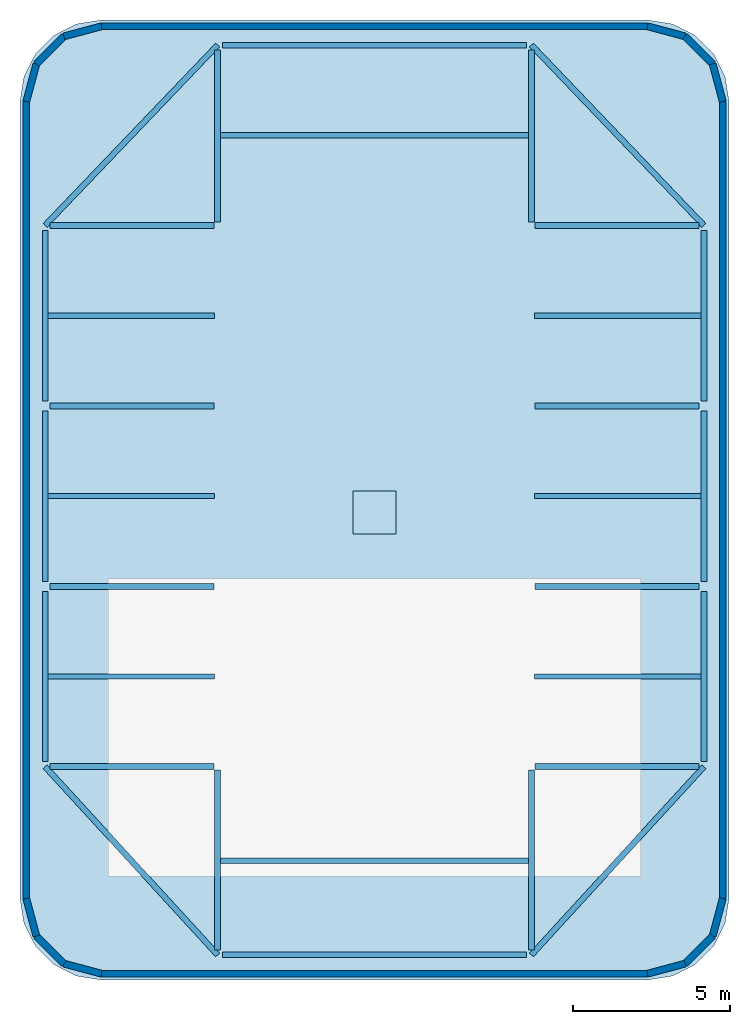
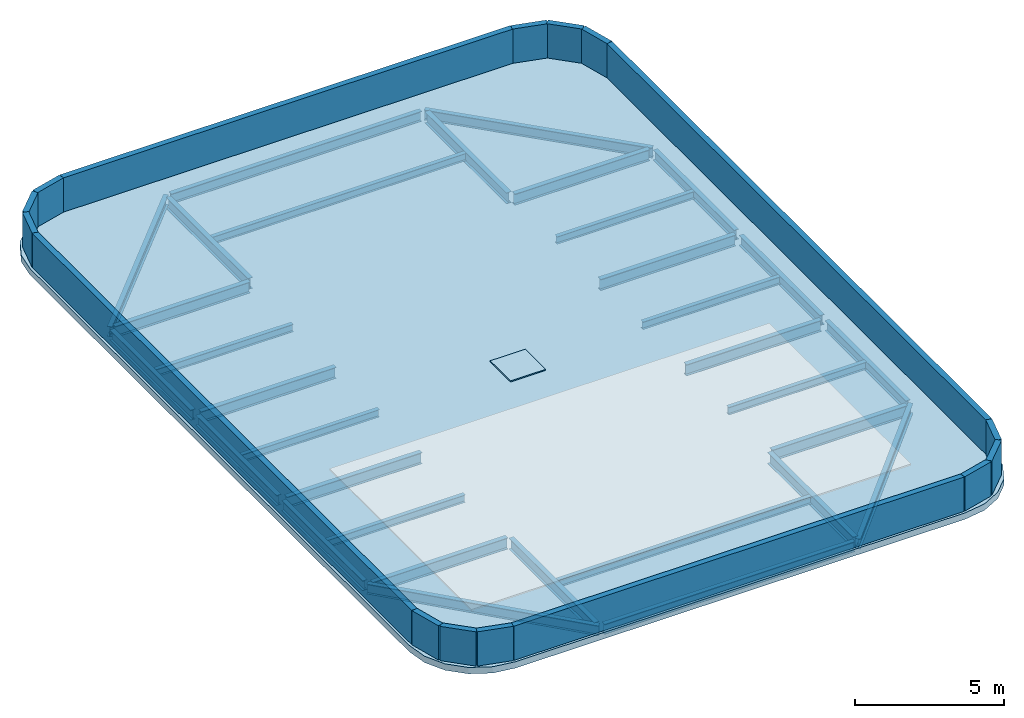
# One storey, part 1 of 2: 32 beams, 16 walls, 1 plate, 1 slab.
"""IFC4 building model written with IfcOpenShell, lengths in metres."""

import ifcopenshell
import ifcopenshell.guid

model = None  # the IFC model being written
_history = None  # IfcOwnerHistory: only IFC2X3 demands one
_inside = {}  # id of a spatial element -> (the spatial element, [elements in it])
_under = {}  # id of a project, library or spatial element -> (it, [spatial elements below it])
_declared = {}  # id of a project -> (the project, [libraries it declares])
_typed = {}  # id of a type object -> (the type object, [elements of that type])
_made_of = {}  # id of a material, layer set ... -> (it, [elements and type objects made of it])


def new_model(schema):
    """Start an empty IFC model of exactly this schema.

    Asked for "IFC4X3", IfcOpenShell would pick the latest addendum, in which some entities
    have other attributes; the version numbers below select the first issue.
    IFC2X3 requires an IfcOwnerHistory on every rooted entity: one is made here for all.
    """
    global model, _history
    if schema == "IFC4X3":
        model = ifcopenshell.file(schema_version=(4, 3, 0, 0))
    else:
        model = ifcopenshell.file(schema=schema)
    _inside.clear()
    _under.clear()
    _declared.clear()
    _typed.clear()
    _made_of.clear()
    _history = None
    if model.schema == "IFC2X3":
        org = make("IfcOrganization", Name="unknown")
        user = make(
            "IfcPersonAndOrganization",
            ThePerson=make("IfcPerson", FamilyName="unknown"),
            TheOrganization=org,
        )
        app = make(
            "IfcApplication",
            ApplicationDeveloper=org,
            Version="unknown",
            ApplicationFullName="unknown",
            ApplicationIdentifier="unknown",
        )
        _history = make(
            "IfcOwnerHistory",
            OwningUser=user,
            OwningApplication=app,
            ChangeAction="ADDED",
            CreationDate=0,
        )
    return model


def make(cls, **values):
    """One entity of the class cls with the attributes given. An attribute that is None is left unset."""
    return model.create_entity(
        cls, **{name: value for name, value in values.items() if value is not None}
    )


def rooted(cls, **values):
    """An entity with a GlobalId (a new one), such as an element, a storey or a relation."""
    return make(cls, GlobalId=ifcopenshell.guid.new(), OwnerHistory=_history, **values)


def si_unit(unit_type, name, prefix=None):
    """IfcSIUnit, for example si_unit("LENGTHUNIT", "METRE", prefix="MILLI")."""
    return make("IfcSIUnit", UnitType=unit_type, Prefix=prefix, Name=name)


def assignment(units):
    """IfcUnitAssignment: the units of a project."""
    return None if units is None else make("IfcUnitAssignment", Units=units)


def point(xyz):
    """IfcCartesianPoint."""
    return None if xyz is None else make("IfcCartesianPoint", Coordinates=xyz)


def direction(xyz):
    """IfcDirection."""
    return None if xyz is None else make("IfcDirection", DirectionRatios=xyz)


def frame(location, z_axis=None, x_axis=None):
    """IfcAxis2Placement3D, a coordinate frame: its origin and axes. An axis left out is left unset."""
    return make(
        "IfcAxis2Placement3D",
        Location=point(location),
        Axis=direction(z_axis),
        RefDirection=direction(x_axis),
    )


def frame_2d(location, x_axis=None):
    """IfcAxis2Placement2D, a coordinate frame in the plane: its origin and x axis."""
    return make(
        "IfcAxis2Placement2D", Location=point(location), RefDirection=direction(x_axis)
    )


def origin():
    """The frame at (0, 0, 0) with its axes left unset."""
    return frame((0.0, 0.0, 0.0))


def origin_2d():
    """The frame at (0, 0) in the plane with its x axis left unset."""
    return frame_2d((0.0, 0.0))


def place(relative_to, where):
    """IfcLocalPlacement: puts the frame where relative to a parent placement (None: the world)."""
    return make(
        "IfcLocalPlacement", PlacementRelTo=relative_to, RelativePlacement=where
    )


def context(
    kind, dimensions, precision=None, world=None, true_north=None, identifier=None
):
    """IfcGeometricRepresentationContext, for example the 3D "Model" context."""
    return make(
        "IfcGeometricRepresentationContext",
        ContextIdentifier=identifier,
        ContextType=kind,
        CoordinateSpaceDimension=dimensions,
        Precision=precision,
        WorldCoordinateSystem=world,
        TrueNorth=true_north,
    )


def subcontext(parent, identifier, kind, view, scale=None):
    """IfcGeometricRepresentationSubContext, for example "Body" below "Model"."""
    return make(
        "IfcGeometricRepresentationSubContext",
        ContextIdentifier=identifier,
        ContextType=kind,
        ParentContext=parent,
        TargetScale=scale,
        TargetView=view,
    )


def project(units=None, contexts=None):
    """IfcProject with its units and contexts."""
    return rooted(
        "IfcProject",
        Name="project",
        RepresentationContexts=contexts,
        UnitsInContext=assignment(units),
    )


def spatial(cls, under=None, at=None, **own):
    """A site, building, storey or space (cls), placed at a placement, below another one or the project."""
    s = rooted(cls, ObjectPlacement=at, **own)
    if under is not None:
        _under.setdefault(under.id(), (under, []))[1].append(s)
    return s


def polyline(points):
    """IfcPolyline through the points."""
    return make("IfcPolyline", Points=[point(p) for p in points])


def profile(cls, at=None, kind="AREA", **sizes):
    """A parametric profile (cls). Its sizes go by their IFC names, for example OverallWidth=200.0."""
    return make(cls, ProfileType=kind, Position=at, **sizes)


def rectangle(**sizes):
    """IfcRectangleProfileDef."""
    return profile("IfcRectangleProfileDef", **sizes)


def i_section(**sizes):
    """IfcIShapeProfileDef."""
    return profile("IfcIShapeProfileDef", **sizes)


def outline(outer, holes=None, kind="AREA"):
    """IfcArbitraryClosedProfileDef: a profile drawn as a closed curve; with holes, ...WithVoids."""
    if holes is None:
        return make("IfcArbitraryClosedProfileDef", ProfileType=kind, OuterCurve=outer)
    return make(
        "IfcArbitraryProfileDefWithVoids",
        ProfileType=kind,
        OuterCurve=outer,
        InnerCurves=holes,
    )


def extrude(swept, where, along, depth):
    """IfcExtrudedAreaSolid: the profile swept, set in the frame where, extruded along a direction by depth."""
    return make(
        "IfcExtrudedAreaSolid",
        SweptArea=swept,
        Position=where,
        ExtrudedDirection=direction(along),
        Depth=depth,
    )


def shape(context_of_items, identifier, shape_type, items):
    """IfcShapeRepresentation: the items that make up one representation, for example the "Body"."""
    return make(
        "IfcShapeRepresentation",
        ContextOfItems=context_of_items,
        RepresentationIdentifier=identifier,
        RepresentationType=shape_type,
        Items=items,
    )


def source(mapping_origin, context_of_items, identifier, shape_type, items):
    """IfcRepresentationMap: a shape defined once, which mapped items show again and again."""
    return make(
        "IfcRepresentationMap",
        MappingOrigin=mapping_origin,
        MappedRepresentation=shape(context_of_items, identifier, shape_type, items),
    )


def transform(
    local_origin,
    x_axis=None,
    y_axis=None,
    z_axis=None,
    scale=None,
    scale2=None,
    scale3=None,
    uniform=True,
):
    """IfcCartesianTransformationOperator3D, or its non-uniform kind. x_axis, y_axis, z_axis: its Axis1, 2, 3."""
    if uniform:
        return make(
            "IfcCartesianTransformationOperator3D",
            Axis1=direction(x_axis),
            Axis2=direction(y_axis),
            LocalOrigin=point(local_origin),
            Scale=scale,
            Axis3=direction(z_axis),
        )
    return make(
        "IfcCartesianTransformationOperator3DnonUniform",
        Axis1=direction(x_axis),
        Axis2=direction(y_axis),
        LocalOrigin=point(local_origin),
        Scale=scale,
        Axis3=direction(z_axis),
        Scale2=scale2,
        Scale3=scale3,
    )


def mapped(mapping_source, mapping_target):
    """IfcMappedItem: shows the shape of a source again, moved by a transform."""
    return make(
        "IfcMappedItem", MappingSource=mapping_source, MappingTarget=mapping_target
    )


def material(Name=None, Category=None):
    """IfcMaterial."""
    return make("IfcMaterial", Name=Name, Category=Category)


def layer(
    of_material, thickness, ventilated=None, Name=None, Category=None, Priority=None
):
    """IfcMaterialLayer: one layer of a wall or slab, of a material (None: an air gap)."""
    return make(
        "IfcMaterialLayer",
        Material=of_material,
        LayerThickness=thickness,
        IsVentilated=ventilated,
        Name=Name,
        Category=Category,
        Priority=Priority,
    )


def layer_set(layers, Name=None):
    """IfcMaterialLayerSet."""
    return make("IfcMaterialLayerSet", MaterialLayers=layers, LayerSetName=Name)


def material_profile(
    of_material, cross_section, Name=None, Category=None, Priority=None
):
    """IfcMaterialProfile: a cross section and its material."""
    return make(
        "IfcMaterialProfile",
        Name=Name,
        Material=of_material,
        Profile=cross_section,
        Priority=Priority,
        Category=Category,
    )


def profile_set(profiles, Name=None, composite=None):
    """IfcMaterialProfileSet."""
    return make(
        "IfcMaterialProfileSet",
        Name=Name,
        MaterialProfiles=profiles,
        CompositeProfile=composite,
    )


def made_of(thing, what):
    """Note that an element or type object is made of a material, layer set ...; save() writes the relation."""
    if what is not None:
        _made_of.setdefault(what.id(), (what, []))[1].append(thing)
    return thing


def type_object(cls, material=None, **own):
    """A type object (cls), such as IfcWallType, which elements share."""
    return made_of(rooted(cls, **own), material)


def element(
    cls,
    number,
    at=None,
    inside=None,
    cuts=None,
    type_object=None,
    material=None,
    context=None,
    identifier="Body",
    shape_type=None,
    held_by="IfcProductDefinitionShape",
    body=None,
    shapes=None,
    **own,
):
    """One element of the class cls, such as IfcWall. Its Tag is "e" and its number.

    at: its placement. inside: the storey or other place that contains it. cuts: it is an
    opening in that element (IfcRelVoidsElement). A single representation is given by context,
    identifier, shape_type and body (its items); several are given by shapes. held_by: the class
    of the entity that holds the representations. save() writes the other relations.
    """
    e = rooted(cls, Tag="e%d" % number, ObjectPlacement=at, **own)
    if body is not None:
        shapes = [shape(context, identifier, shape_type, body)]
    if shapes is not None:
        e.Representation = make(held_by, Representations=shapes)
    if inside is not None:
        _inside.setdefault(inside.id(), (inside, []))[1].append(e)
    if cuts is not None:
        rooted(
            "IfcRelVoidsElement", RelatingBuildingElement=cuts, RelatedOpeningElement=e
        )
    if type_object is not None:
        _typed.setdefault(type_object.id(), (type_object, []))[1].append(e)
    return made_of(e, material)


def aggregate(whole, parts):
    """IfcRelAggregates: a whole, such as a stair, and the parts it consists of."""
    return rooted("IfcRelAggregates", RelatingObject=whole, RelatedObjects=parts)


def save(model, path):
    """Write the relations noted so far, then the file.

    IfcRelAggregates (storeys below a building ...), IfcRelContainedInSpatialStructure (elements
    in a storey), IfcRelDefinesByType, IfcRelAssociatesMaterial and IfcRelDeclares: one each for
    every whole, place, type object, material and project.
    """
    for whole, parts in _under.values():
        aggregate(whole, parts)
    for where, things in _inside.values():
        rooted(
            "IfcRelContainedInSpatialStructure",
            RelatedElements=things,
            RelatingStructure=where,
        )
    for kind, things in _typed.values():
        rooted("IfcRelDefinesByType", RelatedObjects=things, RelatingType=kind)
    for what, things in _made_of.values():
        rooted("IfcRelAssociatesMaterial", RelatedObjects=things, RelatingMaterial=what)
    for by, libraries in _declared.values():
        rooted("IfcRelDeclares", RelatingContext=by, RelatedDefinitions=libraries)
    model.write(path)


model = new_model("IFC4")

# Units and contexts
model_context = context("Model", 3, precision=1e-05, world=origin(), true_north=direction((0.0, 1.0)))
body_context = subcontext(model_context, "Body", "Model", "MODEL_VIEW")
ifc_project = project(units=[si_unit("LENGTHUNIT", "METRE"), si_unit("AREAUNIT", "SQUARE_METRE"), si_unit("VOLUMEUNIT", "CUBIC_METRE"), si_unit("PLANEANGLEUNIT", "RADIAN"), si_unit("MASSUNIT", "GRAM", prefix="KILO")], contexts=[model_context])

# Site, building, storey
site_placement = place(None, origin())
site = spatial("IfcSite", under=ifc_project, at=site_placement, CompositionType="ELEMENT")
building_placement = place(site_placement, origin())
building = spatial("IfcBuilding", under=site, at=building_placement, Name="Kolveth Station Tower", CompositionType="ELEMENT")
storey_placement = place(building_placement, frame((0.0, 0.0, 296.5)))
storey = spatial("IfcBuildingStorey", under=building, at=storey_placement, Name="RF", CompositionType="ELEMENT", Elevation=296.5)

# Beams
ifc_material_1 = material(Name="Steel S355", Category="steel")
ifc_material_profile_1 = material_profile(ifc_material_1, i_section(OverallWidth=0.180908203125, OverallDepth=0.4169921875, WebThickness=0.010986328125, FlangeThickness=0.018310546875, at=origin_2d()), Name="W410x85")
ifc_profile_set_1 = profile_set([ifc_material_profile_1], Name="Steel S355")
beam_type_1 = type_object("IfcBeamType", Name="Beam_B8", PredefinedType="BEAM", material=ifc_profile_set_1)
shared_shape_1 = source(origin(), body_context, "Body", "SweptSolid", [
    extrude(i_section(OverallWidth=0.180908203125, OverallDepth=0.4169921875, WebThickness=0.010986328125, FlangeThickness=0.018310546875, at=origin_2d()), origin(), (0.0, 0.0, 1.0), 9.68017578125),
])
for number, where, z_axis, x_axis, name in (
    (1, (18.659912109375, 5.5, -0.468505859375), (1.0, 0.0, 0.0), (0.0, 1.0, 0.0), "RF Perimeter Spandrel BM-RF-PS-1"),
    (2, (18.659912109375, 34.5, -0.468505859375), (1.0, 0.0, 0.0), (0.0, 1.0, 0.0), "RF Perimeter Spandrel BM-RF-PN-1"),
):
    element("IfcBeam", number, at=place(storey_placement, frame(where, z_axis=z_axis, x_axis=x_axis)), inside=storey, type_object=beam_type_1, Name=name, PredefinedType="BEAM", context=body_context, shape_type="MappedRepresentation", body=[
        mapped(shared_shape_1, transform((0.0, 0.0, 0.0), x_axis=(1.0, 0.0, 0.0), y_axis=(0.0, 1.0, 0.0), z_axis=(0.0, 0.0, 1.0), scale=1.0)),
    ])
shared_shape_2 = source(origin(), body_context, "Body", "SweptSolid", [
    extrude(i_section(OverallWidth=0.180908203125, OverallDepth=0.4169921875, WebThickness=0.010986328125, FlangeThickness=0.018310546875, at=origin_2d()), origin(), (0.0, 0.0, 1.0), 5.43017578125),
])
for number, where, z_axis, x_axis, name in (
    (3, (13.0, 11.659912109375, -0.468505859375), (0.0, 1.0, 0.0), (-1.0, 0.0, 0.0), "RF Perimeter Spandrel BM-RF-PW-1"),
    (4, (13.0, 17.409912109375, -0.468505859375), (0.0, 1.0, 0.0), (-1.0, 0.0, 0.0), "RF Perimeter Spandrel BM-RF-PW-2"),
    (5, (13.0, 23.159912109375, -0.468505859375), (0.0, 1.0, 0.0), (-1.0, 0.0, 0.0), "RF Perimeter Spandrel BM-RF-PW-3"),
    (6, (34.0, 11.659912109375, -0.468505859375), (0.0, 1.0, 0.0), (-1.0, 0.0, 0.0), "RF Perimeter Spandrel BM-RF-PE-1"),
    (7, (34.0, 17.409912109375, -0.468505859375), (0.0, 1.0, 0.0), (-1.0, 0.0, 0.0), "RF Perimeter Spandrel BM-RF-PE-2"),
    (8, (34.0, 23.159912109375, -0.468505859375), (0.0, 1.0, 0.0), (-1.0, 0.0, 0.0), "RF Perimeter Spandrel BM-RF-PE-3"),
):
    element("IfcBeam", number, at=place(storey_placement, frame(where, z_axis=z_axis, x_axis=x_axis)), inside=storey, type_object=beam_type_1, Name=name, PredefinedType="BEAM", context=body_context, shape_type="MappedRepresentation", body=[
        mapped(shared_shape_2, transform((0.0, 0.0, 0.0), x_axis=(1.0, 0.0, 0.0), y_axis=(0.0, 1.0, 0.0), z_axis=(0.0, 0.0, 1.0), scale=1.0)),
    ])
ifc_material_profile_2 = material_profile(ifc_material_1, i_section(OverallWidth=0.19091796875, OverallDepth=0.4599609375, WebThickness=0.010009765625, FlangeThickness=0.01611328125, at=origin_2d()), Name="W460x82")
ifc_profile_set_2 = profile_set([ifc_material_profile_2], Name="Steel S355")
beam_type_2 = type_object("IfcBeamType", Name="Beam_B7", PredefinedType="BEAM", material=ifc_profile_set_2)
shared_shape_3 = source(origin(), body_context, "Body", "SweptSolid", [
    extrude(i_section(OverallWidth=0.19091796875, OverallDepth=0.4599609375, WebThickness=0.010009765625, FlangeThickness=0.01611328125, at=origin_2d()), origin(), (0.0, 0.0, 1.0), 5.22998046875),
])
for number, where, z_axis, x_axis, name in (
    (9, (13.159912109375, 11.5, -0.489990234375), (1.0, 0.0, 0.0), (0.0, 1.0, 0.0), "RF Primary Girder BM-RF-GY115-1"),
    (10, (28.610107421875, 11.5, -0.489990234375), (1.0, 0.0, 0.0), (0.0, 1.0, 0.0), "RF Primary Girder BM-RF-GY115-3"),
    (11, (13.159912109375, 17.25, -0.489990234375), (1.0, 0.0, 0.0), (0.0, 1.0, 0.0), "RF Primary Girder BM-RF-GY172-1"),
    (12, (28.610107421875, 17.25, -0.489990234375), (1.0, 0.0, 0.0), (0.0, 1.0, 0.0), "RF Primary Girder BM-RF-GY172-3"),
    (13, (13.159912109375, 23.0, -0.489990234375), (1.0, 0.0, 0.0), (0.0, 1.0, 0.0), "RF Primary Girder BM-RF-GY230-1"),
    (14, (28.610107421875, 23.0, -0.489990234375), (1.0, 0.0, 0.0), (0.0, 1.0, 0.0), "RF Primary Girder BM-RF-GY230-3"),
    (15, (13.159912109375, 28.75, -0.489990234375), (1.0, 0.0, 0.0), (0.0, 1.0, 0.0), "RF Primary Girder BM-RF-GY287-1"),
    (16, (28.610107421875, 28.75, -0.489990234375), (1.0, 0.0, 0.0), (0.0, 1.0, 0.0), "RF Primary Girder BM-RF-GY287-3"),
):
    element("IfcBeam", number, at=place(storey_placement, frame(where, z_axis=z_axis, x_axis=x_axis)), inside=storey, type_object=beam_type_2, Name=name, PredefinedType="BEAM", context=body_context, shape_type="MappedRepresentation", body=[
        mapped(shared_shape_3, transform((0.0, 0.0, 0.0), x_axis=(1.0, 0.0, 0.0), y_axis=(0.0, 1.0, 0.0), z_axis=(0.0, 0.0, 1.0), scale=1.0)),
    ])
shared_shape_4 = source(origin(), body_context, "Body", "SweptSolid", [
    extrude(i_section(OverallWidth=0.19091796875, OverallDepth=0.4599609375, WebThickness=0.010009765625, FlangeThickness=0.01611328125, at=origin_2d()), origin(), (0.0, 0.0, 1.0), 5.72998046875),
])
for number, where, z_axis, x_axis, name in (
    (17, (18.5, 5.659912109375, -0.489990234375), (0.0, 1.0, 0.0), (-1.0, 0.0, 0.0), "RF Primary Girder BM-RF-GX185-1"),
    (18, (28.5, 5.659912109375, -0.489990234375), (0.0, 1.0, 0.0), (-1.0, 0.0, 0.0), "RF Primary Girder BM-RF-GX285-1"),
):
    element("IfcBeam", number, at=place(storey_placement, frame(where, z_axis=z_axis, x_axis=x_axis)), inside=storey, type_object=beam_type_2, Name=name, PredefinedType="BEAM", context=body_context, shape_type="MappedRepresentation", body=[
        mapped(shared_shape_4, transform((0.0, 0.0, 0.0), x_axis=(1.0, 0.0, 0.0), y_axis=(0.0, 1.0, 0.0), z_axis=(0.0, 0.0, 1.0), scale=1.0)),
    ])
shared_shape_5 = source(origin(), body_context, "Body", "SweptSolid", [
    extrude(i_section(OverallWidth=0.19091796875, OverallDepth=0.4599609375, WebThickness=0.010009765625, FlangeThickness=0.01611328125, at=origin_2d()), origin(), (0.0, 0.0, 1.0), 5.47998046875),
])
for number, where, z_axis, x_axis, name in (
    (19, (18.5, 28.860107421875, -0.489990234375), (0.0, 1.0, 0.0), (-1.0, 0.0, 0.0), "RF Primary Girder BM-RF-GX185-5"),
    (20, (28.5, 28.860107421875, -0.489990234375), (0.0, 1.0, 0.0), (-1.0, 0.0, 0.0), "RF Primary Girder BM-RF-GX285-5"),
):
    element("IfcBeam", number, at=place(storey_placement, frame(where, z_axis=z_axis, x_axis=x_axis)), inside=storey, type_object=beam_type_2, Name=name, PredefinedType="BEAM", context=body_context, shape_type="MappedRepresentation", body=[
        mapped(shared_shape_5, transform((0.0, 0.0, 0.0), x_axis=(1.0, 0.0, 0.0), y_axis=(0.0, 1.0, 0.0), z_axis=(0.0, 0.0, 1.0), scale=1.0)),
    ])
ifc_material_profile_3 = material_profile(ifc_material_1, i_section(OverallWidth=0.1650390625, OverallDepth=0.31005859375, WebThickness=0.005859375, FlangeThickness=0.009765625, at=origin_2d()), Name="W310x39")
ifc_profile_set_3 = profile_set([ifc_material_profile_3], Name="Steel S355")
beam_type_3 = type_object("IfcBeamType", Name="Beam_J3", PredefinedType="JOIST", material=ifc_profile_set_3)
shared_shape_6 = source(origin(), body_context, "Body", "SweptSolid", [
    extrude(i_section(OverallWidth=0.1650390625, OverallDepth=0.31005859375, WebThickness=0.005859375, FlangeThickness=0.009765625, at=origin_2d()), origin(), (0.0, 0.0, 1.0), 9.81298828125),
])
for number, where, z_axis, x_axis, name in (
    (21, (18.593505859375, 8.5, -0.4150390625), (1.0, 0.0, 0.0), (0.0, 1.0, 0.0), "RF Secondary Joist JST-RF-2-1"),
    (22, (18.593505859375, 31.625, -0.4150390625), (1.0, 0.0, 0.0), (0.0, 1.0, 0.0), "RF Secondary Joist JST-RF-2-5"),
):
    element("IfcBeam", number, at=place(storey_placement, frame(where, z_axis=z_axis, x_axis=x_axis)), inside=storey, type_object=beam_type_3, Name=name, PredefinedType="JOIST", context=body_context, shape_type="MappedRepresentation", body=[
        mapped(shared_shape_6, transform((0.0, 0.0, 0.0), x_axis=(1.0, 0.0, 0.0), y_axis=(0.0, 1.0, 0.0), z_axis=(0.0, 0.0, 1.0), scale=1.0)),
    ])
shared_shape_7 = source(origin(), body_context, "Body", "SweptSolid", [
    extrude(i_section(OverallWidth=0.180908203125, OverallDepth=0.4169921875, WebThickness=0.010986328125, FlangeThickness=0.018310546875, at=origin_2d()), origin(), (0.0, 0.0, 1.0), 8.139404296875),
])
for number, where, z_axis, x_axis, name in (
    (23, (13.0, 11.5, -0.468505859375), (0.675724628517, -0.737154140201, 0.0), (0.737154140201, 0.675724628517, 0.0), "RF Corner Edge Girder BM-RF-CNR-SW"),
    (24, (28.5, 5.5, -0.468505859375), (0.675724628517, 0.737154140201, 0.0), (-0.737154140201, 0.675724628517, 0.0), "RF Corner Edge Girder BM-RF-CNR-SE"),
):
    element("IfcBeam", number, at=place(storey_placement, frame(where, z_axis=z_axis, x_axis=x_axis)), inside=storey, type_object=beam_type_1, Name=name, PredefinedType="BEAM", context=body_context, shape_type="MappedRepresentation", body=[
        mapped(shared_shape_7, transform((0.0, 0.0, 0.0), x_axis=(1.0, 0.0, 0.0), y_axis=(0.0, 1.0, 0.0), z_axis=(0.0, 0.0, 1.0), scale=1.0)),
    ])
shared_shape_8 = source(origin(), body_context, "Body", "SweptSolid", [
    extrude(i_section(OverallWidth=0.180908203125, OverallDepth=0.4169921875, WebThickness=0.010986328125, FlangeThickness=0.018310546875, at=origin_2d()), origin(), (0.0, 0.0, 1.0), 7.95703125),
])
for number, where, z_axis, x_axis, name in (
    (25, (34.0, 28.75, -0.468505859375), (-0.691222645967, 0.722641857148, 0.0), (-0.722641857148, -0.691222645967, 0.0), "RF Corner Edge Girder BM-RF-CNR-NE"),
    (26, (18.5, 34.5, -0.468505859375), (-0.691222645967, -0.722641857148, 0.0), (0.722641857148, -0.691222645967, 0.0), "RF Corner Edge Girder BM-RF-CNR-NW"),
):
    element("IfcBeam", number, at=place(storey_placement, frame(where, z_axis=z_axis, x_axis=x_axis)), inside=storey, type_object=beam_type_1, Name=name, PredefinedType="BEAM", context=body_context, shape_type="MappedRepresentation", body=[
        mapped(shared_shape_8, transform((0.0, 0.0, 0.0), x_axis=(1.0, 0.0, 0.0), y_axis=(0.0, 1.0, 0.0), z_axis=(0.0, 0.0, 1.0), scale=1.0)),
    ])
shared_shape_9 = source(origin(), body_context, "Body", "SweptSolid", [
    extrude(i_section(OverallWidth=0.1650390625, OverallDepth=0.31005859375, WebThickness=0.005859375, FlangeThickness=0.009765625, at=origin_2d()), origin(), (0.0, 0.0, 1.0), 5.318115234375),
])
for number, where, z_axis, x_axis, name in (
    (27, (13.08837890625, 14.375, -0.4150390625), (1.0, 0.0, 0.0), (0.0, 1.0, 0.0), "RF Secondary Joist JST-RF-1-2"),
    (28, (13.08837890625, 20.125, -0.4150390625), (1.0, 0.0, 0.0), (0.0, 1.0, 0.0), "RF Secondary Joist JST-RF-1-3"),
    (29, (13.08837890625, 25.875, -0.4150390625), (1.0, 0.0, 0.0), (0.0, 1.0, 0.0), "RF Secondary Joist JST-RF-1-4"),
    (30, (28.593505859375, 14.375, -0.4150390625), (1.0, 0.0, 0.0), (0.0, 1.0, 0.0), "RF Secondary Joist JST-RF-3-2"),
    (31, (28.593505859375, 20.125, -0.4150390625), (1.0, 0.0, 0.0), (0.0, 1.0, 0.0), "RF Secondary Joist JST-RF-3-3"),
    (32, (28.593505859375, 25.875, -0.4150390625), (1.0, 0.0, 0.0), (0.0, 1.0, 0.0), "RF Secondary Joist JST-RF-3-4"),
):
    element("IfcBeam", number, at=place(storey_placement, frame(where, z_axis=z_axis, x_axis=x_axis)), inside=storey, type_object=beam_type_3, Name=name, PredefinedType="JOIST", context=body_context, shape_type="MappedRepresentation", body=[
        mapped(shared_shape_9, transform((0.0, 0.0, 0.0), x_axis=(1.0, 0.0, 0.0), y_axis=(0.0, 1.0, 0.0), z_axis=(0.0, 0.0, 1.0), scale=1.0)),
    ])

# Slab
ifc_material_2 = material(Name="Concrete C40/50", Category="concrete")
ifc_layer_1 = layer(ifc_material_2, 0.260009765625)
ifc_layer_set_1 = layer_set([ifc_layer_1], Name="Concrete C40/50")
slab_type = type_object("IfcSlabType", Name="Slab_SR-260", PredefinedType="ROOF", material=ifc_layer_set_1)
slab_placement = place(storey_placement, frame((0.0, 0.0, -0.260009765625)))
element("IfcSlab", 33, at=slab_placement, inside=storey, type_object=slab_type, Name="RF Crown Main Flat Roof Slab", PredefinedType="ROOF", context=body_context, shape_type="SweptSolid", body=[
    extrude(outline(polyline([(32.199951171875, 4.699951171875), (33.00341796875, 4.827392578125), (33.728271484375, 5.196533203125), (34.303466796875, 5.771728515625), (34.672607421875, 6.49658203125), (34.800048828125, 7.300048828125), (34.800048828125, 32.699951171875), (34.672607421875, 33.50341796875), (34.303466796875, 34.228271484375), (33.728271484375, 34.803466796875), (33.00341796875, 35.172607421875), (32.199951171875, 35.300048828125), (14.800048828125, 35.300048828125), (13.99658203125, 35.172607421875), (13.271728515625, 34.803466796875), (12.696533203125, 34.228271484375), (12.327392578125, 33.50341796875), (12.199951171875, 32.699951171875), (12.199951171875, 7.300048828125), (12.327392578125, 6.49658203125), (12.696533203125, 5.771728515625), (13.271728515625, 5.196533203125), (13.99658203125, 4.827392578125), (14.800048828125, 4.699951171875), (32.199951171875, 4.699951171875)]), holes=[polyline([(22.89990234375, 19.0), (24.10009765625, 19.0), (24.10009765625, 20.199951171875), (22.89990234375, 20.199951171875), (22.89990234375, 19.0)])]), origin(), (0.0, 0.0, 1.0), 0.260009765625),
])

# Plate
ifc_material_3 = material(Name="Insulated aluminium 6063-T6 roof access hatch", Category="aluminium")
ifc_layer_2 = layer(ifc_material_3, 0.044921875)
ifc_layer_set_2 = layer_set([ifc_layer_2], Name="Insulated aluminium 6063-T6 roof access hatch")
plate_type = type_object("IfcPlateType", Name="Plate_RH1", PredefinedType="USERDEFINED", material=ifc_layer_set_2)
shared_shape_10 = source(origin(), body_context, "Body", "SweptSolid", [
    extrude(rectangle(XDim=1.360107421875, YDim=1.360107421875, at=origin_2d()), origin(), (0.0, 0.0, 1.0), 0.044921875),
])
plate_placement = place(storey_placement, frame((23.5, 19.60009765625, 0.0), z_axis=(0.0, 0.0, 1.0), x_axis=(1.0, 0.0, 0.0)))
element("IfcPlate", 34, at=plate_placement, inside=storey, type_object=plate_type, Name="RF Maintenance Roof Access Hatch RH1", ObjectType="ROOF_HATCH", PredefinedType="USERDEFINED", context=body_context, shape_type="MappedRepresentation", body=[
    mapped(shared_shape_10, transform((0.0, 0.0, 0.0), x_axis=(1.0, 0.0, 0.0), y_axis=(0.0, 1.0, 0.0), z_axis=(0.0, 0.0, 1.0), scale=1.0)),
])

# Walls
ifc_material_4 = material(Name="Architectural low-E dark glass and aluminium 6063-T6", Category="aluminium")
ifc_layer_3 = layer(ifc_material_4, 0.219970703125)
ifc_layer_set_3 = layer_set([ifc_layer_3], Name="Architectural low-E dark glass and aluminium 6063-T6")
wall_type = type_object("IfcWallType", Name="Wall_PR-220", PredefinedType="PARAPET", material=ifc_layer_set_3)
wall_1_placement = place(storey_placement, frame((32.199951171875, 4.89990234375, 0.0), z_axis=(0.0, 0.0, 1.0), x_axis=(0.965924366126, 0.258824494443, 0.0)))
element("IfcWall", 35, at=wall_1_placement, inside=storey, type_object=wall_type, Name="RF Crown Roof Parapet Wall 1", PredefinedType="PARAPET", context=body_context, shape_type="SweptSolid", body=[
    extrude(rectangle(XDim=1.2421875, YDim=0.219970703125, at=frame_2d((0.62109375, 0.0))), origin(), (0.0, 0.0, 1.0), 1.39990234375),
])
wall_2_placement = place(storey_placement, frame((33.39990234375, 5.221435546875, 0.0), z_axis=(0.0, 0.0, 1.0), x_axis=(0.707106781187, 0.707106781187, 0.0)))
element("IfcWall", 36, at=wall_2_placement, inside=storey, type_object=wall_type, Name="RF Crown Roof Parapet Wall 2", PredefinedType="PARAPET", context=body_context, shape_type="SweptSolid", body=[
    extrude(rectangle(XDim=1.24267578125, YDim=0.219970703125, at=frame_2d((0.621337890625, 0.0))), origin(), (0.0, 0.0, 1.0), 1.39990234375),
])
wall_3_placement = place(storey_placement, frame((34.278564453125, 6.10009765625, 0.0), z_axis=(0.0, 0.0, 1.0), x_axis=(0.258824494443, 0.965924366126, 0.0)))
element("IfcWall", 37, at=wall_3_placement, inside=storey, type_object=wall_type, Name="RF Crown Roof Parapet Wall 3", PredefinedType="PARAPET", context=body_context, shape_type="SweptSolid", body=[
    extrude(rectangle(XDim=1.2421875, YDim=0.219970703125, at=frame_2d((0.62109375, 0.0))), origin(), (0.0, 0.0, 1.0), 1.39990234375),
])
wall_4_placement = place(storey_placement, frame((34.60009765625, 7.300048828125, 0.0), z_axis=(0.0, 0.0, 1.0), x_axis=(0.0, 1.0, 0.0)))
element("IfcWall", 38, at=wall_4_placement, inside=storey, type_object=wall_type, Name="RF Crown Roof Parapet Wall 4", PredefinedType="PARAPET", context=body_context, shape_type="SweptSolid", body=[
    extrude(rectangle(XDim=25.39990234375, YDim=0.219970703125, at=frame_2d((12.699951171875, 0.0))), origin(), (0.0, 0.0, 1.0), 1.39990234375),
])
wall_5_placement = place(storey_placement, frame((34.60009765625, 32.699951171875, 0.0), z_axis=(0.0, 0.0, 1.0), x_axis=(-0.258824494443, 0.965924366126, 0.0)))
element("IfcWall", 39, at=wall_5_placement, inside=storey, type_object=wall_type, Name="RF Crown Roof Parapet Wall 5", PredefinedType="PARAPET", context=body_context, shape_type="SweptSolid", body=[
    extrude(rectangle(XDim=1.2421875, YDim=0.219970703125, at=frame_2d((0.62109375, 0.0))), origin(), (0.0, 0.0, 1.0), 1.39990234375),
])
wall_6_placement = place(storey_placement, frame((34.278564453125, 33.89990234375, 0.0), z_axis=(0.0, 0.0, 1.0), x_axis=(-0.707106781187, 0.707106781187, 0.0)))
element("IfcWall", 40, at=wall_6_placement, inside=storey, type_object=wall_type, Name="RF Crown Roof Parapet Wall 6", PredefinedType="PARAPET", context=body_context, shape_type="SweptSolid", body=[
    extrude(rectangle(XDim=1.24267578125, YDim=0.219970703125, at=frame_2d((0.621337890625, 0.0))), origin(), (0.0, 0.0, 1.0), 1.39990234375),
])
wall_7_placement = place(storey_placement, frame((33.39990234375, 34.778564453125, 0.0), z_axis=(0.0, 0.0, 1.0), x_axis=(-0.965924366126, 0.258824494443, 0.0)))
element("IfcWall", 41, at=wall_7_placement, inside=storey, type_object=wall_type, Name="RF Crown Roof Parapet Wall 7", PredefinedType="PARAPET", context=body_context, shape_type="SweptSolid", body=[
    extrude(rectangle(XDim=1.2421875, YDim=0.219970703125, at=frame_2d((0.62109375, 0.0))), origin(), (0.0, 0.0, 1.0), 1.39990234375),
])
wall_8_placement = place(storey_placement, frame((32.199951171875, 35.10009765625, 0.0), z_axis=(0.0, 0.0, 1.0), x_axis=(-1.0, 0.0, 0.0)))
element("IfcWall", 42, at=wall_8_placement, inside=storey, type_object=wall_type, Name="RF Crown Roof Parapet Wall 8", PredefinedType="PARAPET", context=body_context, shape_type="SweptSolid", body=[
    extrude(rectangle(XDim=17.39990234375, YDim=0.219970703125, at=frame_2d((8.699951171875, 0.0))), origin(), (0.0, 0.0, 1.0), 1.39990234375),
])
wall_9_placement = place(storey_placement, frame((14.800048828125, 35.10009765625, 0.0), z_axis=(0.0, 0.0, 1.0), x_axis=(-0.965924366126, -0.258824494443, 0.0)))
element("IfcWall", 43, at=wall_9_placement, inside=storey, type_object=wall_type, Name="RF Crown Roof Parapet Wall 9", PredefinedType="PARAPET", context=body_context, shape_type="SweptSolid", body=[
    extrude(rectangle(XDim=1.2421875, YDim=0.219970703125, at=frame_2d((0.62109375, 0.0))), origin(), (0.0, 0.0, 1.0), 1.39990234375),
])
wall_10_placement = place(storey_placement, frame((13.60009765625, 34.778564453125, 0.0), z_axis=(0.0, 0.0, 1.0), x_axis=(-0.707106781187, -0.707106781187, 0.0)))
element("IfcWall", 44, at=wall_10_placement, inside=storey, type_object=wall_type, Name="RF Crown Roof Parapet Wall 10", PredefinedType="PARAPET", context=body_context, shape_type="SweptSolid", body=[
    extrude(rectangle(XDim=1.24267578125, YDim=0.219970703125, at=frame_2d((0.621337890625, 0.0))), origin(), (0.0, 0.0, 1.0), 1.39990234375),
])
wall_11_placement = place(storey_placement, frame((12.721435546875, 33.89990234375, 0.0), z_axis=(0.0, 0.0, 1.0), x_axis=(-0.258824494443, -0.965924366126, 0.0)))
element("IfcWall", 45, at=wall_11_placement, inside=storey, type_object=wall_type, Name="RF Crown Roof Parapet Wall 11", PredefinedType="PARAPET", context=body_context, shape_type="SweptSolid", body=[
    extrude(rectangle(XDim=1.2421875, YDim=0.219970703125, at=frame_2d((0.62109375, 0.0))), origin(), (0.0, 0.0, 1.0), 1.39990234375),
])
wall_12_placement = place(storey_placement, frame((12.39990234375, 32.699951171875, 0.0), z_axis=(0.0, 0.0, 1.0), x_axis=(0.0, -1.0, 0.0)))
element("IfcWall", 46, at=wall_12_placement, inside=storey, type_object=wall_type, Name="RF Crown Roof Parapet Wall 12", PredefinedType="PARAPET", context=body_context, shape_type="SweptSolid", body=[
    extrude(rectangle(XDim=25.39990234375, YDim=0.219970703125, at=frame_2d((12.699951171875, 0.0))), origin(), (0.0, 0.0, 1.0), 1.39990234375),
])
wall_13_placement = place(storey_placement, frame((12.39990234375, 7.300048828125, 0.0), z_axis=(0.0, 0.0, 1.0), x_axis=(0.258824494443, -0.965924366126, 0.0)))
element("IfcWall", 47, at=wall_13_placement, inside=storey, type_object=wall_type, Name="RF Crown Roof Parapet Wall 13", PredefinedType="PARAPET", context=body_context, shape_type="SweptSolid", body=[
    extrude(rectangle(XDim=1.2421875, YDim=0.219970703125, at=frame_2d((0.62109375, 0.0))), origin(), (0.0, 0.0, 1.0), 1.39990234375),
])
wall_14_placement = place(storey_placement, frame((12.721435546875, 6.10009765625, 0.0), z_axis=(0.0, 0.0, 1.0), x_axis=(0.707106781187, -0.707106781187, 0.0)))
element("IfcWall", 48, at=wall_14_placement, inside=storey, type_object=wall_type, Name="RF Crown Roof Parapet Wall 14", PredefinedType="PARAPET", context=body_context, shape_type="SweptSolid", body=[
    extrude(rectangle(XDim=1.24267578125, YDim=0.219970703125, at=frame_2d((0.621337890625, 0.0))), origin(), (0.0, 0.0, 1.0), 1.39990234375),
])
wall_15_placement = place(storey_placement, frame((13.60009765625, 5.221435546875, 0.0), z_axis=(0.0, 0.0, 1.0), x_axis=(0.965924366126, -0.258824494443, 0.0)))
element("IfcWall", 49, at=wall_15_placement, inside=storey, type_object=wall_type, Name="RF Crown Roof Parapet Wall 15", PredefinedType="PARAPET", context=body_context, shape_type="SweptSolid", body=[
    extrude(rectangle(XDim=1.2421875, YDim=0.219970703125, at=frame_2d((0.62109375, 0.0))), origin(), (0.0, 0.0, 1.0), 1.39990234375),
])
wall_16_placement = place(storey_placement, frame((14.800048828125, 4.89990234375, 0.0), z_axis=(0.0, 0.0, 1.0), x_axis=(1.0, 0.0, 0.0)))
element("IfcWall", 50, at=wall_16_placement, inside=storey, type_object=wall_type, Name="RF Crown Roof Parapet Wall 16", PredefinedType="PARAPET", context=body_context, shape_type="SweptSolid", body=[
    extrude(rectangle(XDim=17.39990234375, YDim=0.219970703125, at=frame_2d((8.699951171875, 0.0))), origin(), (0.0, 0.0, 1.0), 1.39990234375),
])

save(model, "model.ifc")
